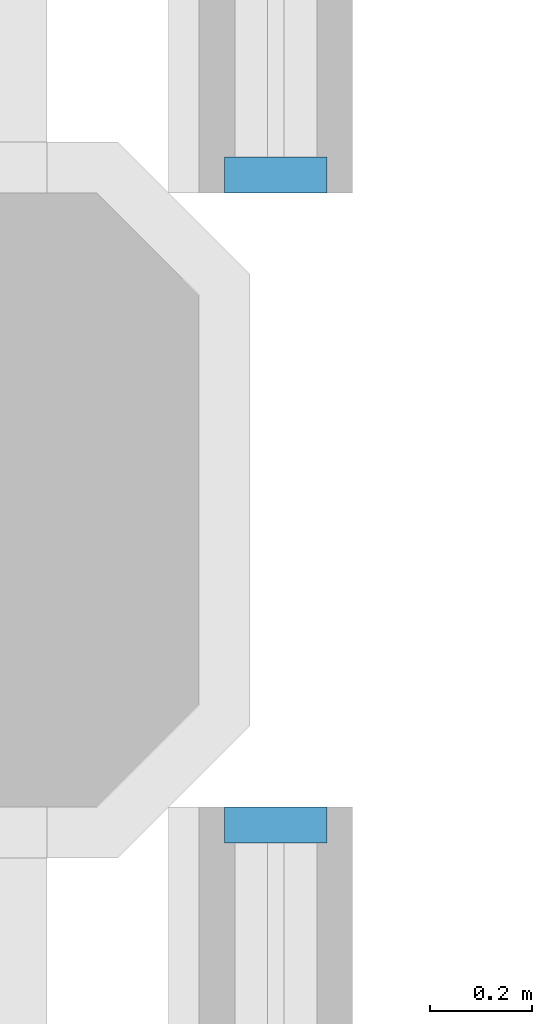
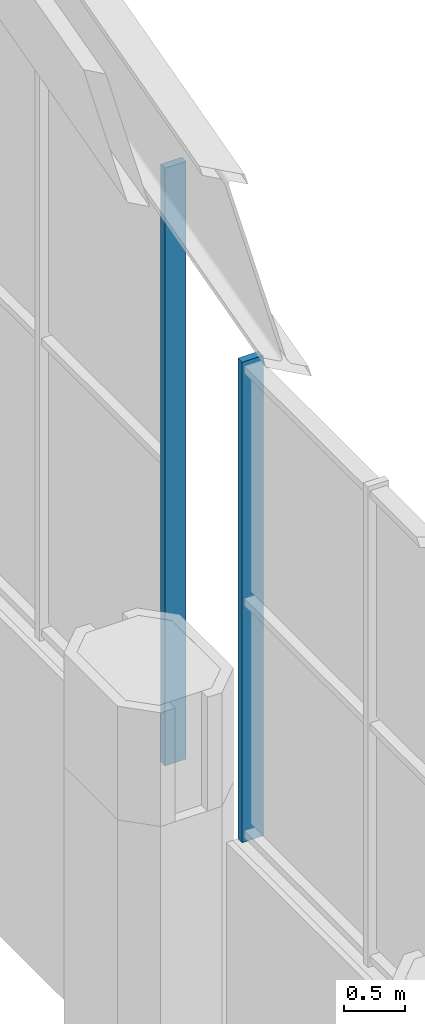
# One storey, part 12 of 42: 2 members, 2 elements without a shape of their own.
"""IFC4 building model written with IfcOpenShell, lengths in metres."""

from ifc_helpers import new_model, si_unit, direction, frame, origin, origin_2d, place, context, subcontext, project, spatial, rectangle, extrude, material, material_profile, profile_set, type_object, element, aggregate, save


model = new_model("IFC4")

# Units and contexts
model_context = context("Model", 3, precision=1e-05, world=origin(), true_north=direction((0.0, 1.0)))
body_context = subcontext(model_context, "Body", "Model", "MODEL_VIEW")
ifc_project = project(units=[si_unit("LENGTHUNIT", "METRE"), si_unit("AREAUNIT", "SQUARE_METRE"), si_unit("VOLUMEUNIT", "CUBIC_METRE"), si_unit("PLANEANGLEUNIT", "RADIAN"), si_unit("MASSUNIT", "GRAM", prefix="KILO")], contexts=[model_context])

# Site, building, storey
site_placement = place(None, origin())
site = spatial("IfcSite", under=ifc_project, at=site_placement, CompositionType="ELEMENT")
building_placement = place(site_placement, origin())
building = spatial("IfcBuilding", under=site, at=building_placement, Name="Tabaq Tower and Sports Hall", CompositionType="ELEMENT")
storey_placement = place(building_placement, frame((0.0, 0.0, 19.800048828125)))
storey = spatial("IfcBuildingStorey", under=building, at=storey_placement, Name="L03", CompositionType="ELEMENT", Elevation=19.800048828125)

# Curtain wall, member
ifc_material_1 = material(Name="Aluminium alloy 6063-T6 framed glazing", Category="aluminium")
curtain_wall_type = type_object("IfcCurtainWallType", Name="CW6 curtain wall", PredefinedType="USERDEFINED", material=ifc_material_1)
curtain_wall_1_placement = place(storey_placement, origin())
curtain_wall_1 = element("IfcCurtainWall", 1, at=curtain_wall_1_placement, inside=storey, type_object=curtain_wall_type, Name="L03 W hall glazing run", ObjectType="HALL FACADE WALL", PredefinedType="USERDEFINED")
ifc_material_2 = material(Name="Aluminium alloy 6063-T6", Category="aluminium")
ifc_material_profile = material_profile(ifc_material_2, rectangle(XDim=0.199951171875, YDim=0.070068359375, at=origin_2d()), Name="MULLION 200x70")
ifc_profile_set = profile_set([ifc_material_profile], Name="Aluminium alloy 6063-T6")
member_type = type_object("IfcMemberType", Name="CW6 mullion 200x70", PredefinedType="MULLION", material=ifc_profile_set)
member_1_placement = place(storey_placement, frame((65.39990234375, 20.965087890625, 3.199951171875), z_axis=(0.0, 0.0, 1.0), x_axis=(-1.0, 0.0, 0.0)))
member_1 = element("IfcMember", 2, at=member_1_placement, type_object=member_type, Name="CW6 mullion 3", PredefinedType="MULLION", context=body_context, shape_type="SweptSolid", body=[
    extrude(rectangle(XDim=0.199951171875, YDim=0.070068359375, at=origin_2d()), origin(), (0.0, 0.0, 1.0), 4.82373046875),
])
aggregate(curtain_wall_1, [member_1])

curtain_wall_2_placement = place(storey_placement, origin())
curtain_wall_2 = element("IfcCurtainWall", 3, at=curtain_wall_2_placement, inside=storey, type_object=curtain_wall_type, Name="L03 W hall glazing run", ObjectType="HALL FACADE WALL", PredefinedType="USERDEFINED")
member_2_placement = place(storey_placement, frame((65.39990234375, 22.235107421875, 3.199951171875), z_axis=(0.0, 0.0, 1.0), x_axis=(-1.0, 0.0, 0.0)))
member_2 = element("IfcMember", 4, at=member_2_placement, type_object=member_type, Name="CW6 mullion 1", PredefinedType="MULLION", context=body_context, shape_type="SweptSolid", body=[
    extrude(rectangle(XDim=0.199951171875, YDim=0.070068359375, at=origin_2d()), origin(), (0.0, 0.0, 1.0), 6.0),
])
aggregate(curtain_wall_2, [member_2])

save(model, "model.ifc")
